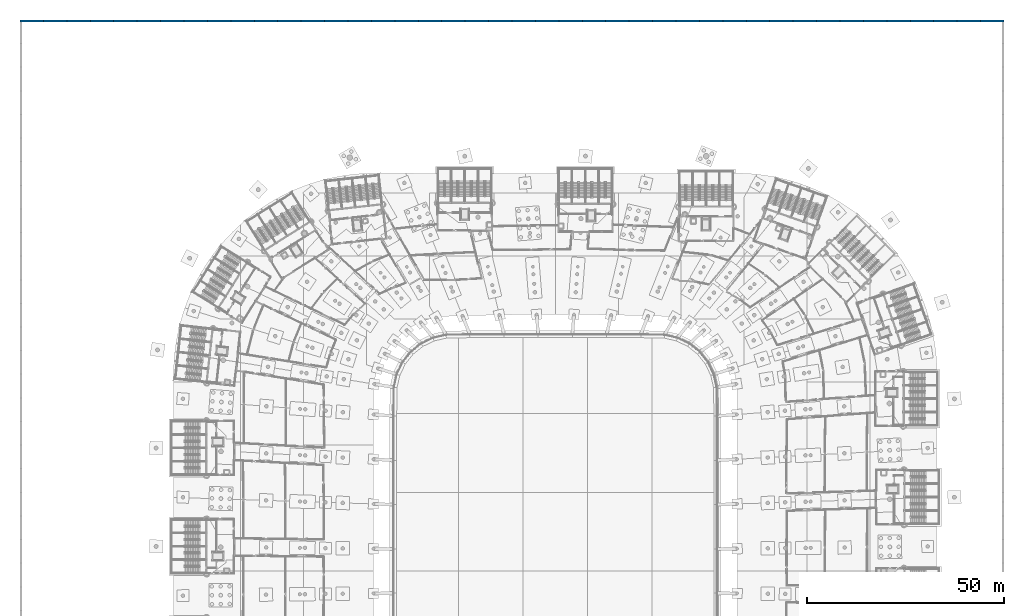
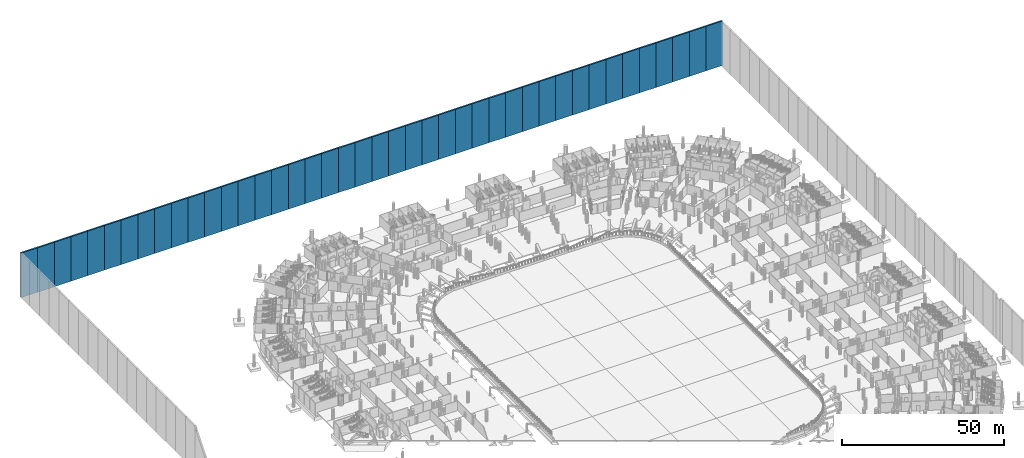
# One storey, part 94 of 142: 42 walls.
"""IFC4 building model written with IfcOpenShell, lengths in metres."""

from ifc_helpers import new_model, si_unit, direction, frame, frame_2d, origin, place, context, subcontext, project, spatial, rectangle, extrude, material, layer, layer_set, type_object, element, save


model = new_model("IFC4")

# Units and contexts
model_context = context("Model", 3, precision=1e-05, world=origin(), true_north=direction((0.0, 1.0)))
body_context = subcontext(model_context, "Body", "Model", "MODEL_VIEW")
ifc_project = project(units=[si_unit("LENGTHUNIT", "METRE"), si_unit("AREAUNIT", "SQUARE_METRE"), si_unit("VOLUMEUNIT", "CUBIC_METRE"), si_unit("PLANEANGLEUNIT", "RADIAN"), si_unit("MASSUNIT", "GRAM", prefix="KILO")], contexts=[model_context])

# Site, building, storey
site_placement = place(None, origin())
site = spatial("IfcSite", under=ifc_project, at=site_placement, CompositionType="ELEMENT")
building_placement = place(site_placement, origin())
building = spatial("IfcBuilding", under=site, at=building_placement, Name="Meseta Stadium", CompositionType="ELEMENT")
storey_placement = place(building_placement, frame((0.0, 0.0, -4.0)))
storey = spatial("IfcBuildingStorey", under=building, at=storey_placement, Name="B1", CompositionType="ELEMENT", Elevation=-4.0)

# Walls
ifc_material = material(Name="Concrete C30/37", Category="concrete")
ifc_layer = layer(ifc_material, 0.550048828125)
ifc_layer_set = layer_set([ifc_layer], Name="Site retaining wall 550")
wall_type = type_object("IfcWallType", Name="Site retaining wall 550", PredefinedType="SOLIDWALL", material=ifc_layer_set)
for number, where, z_axis, x_axis, name in (
    (1, (113.99951171875, 139.72509765625, -13.0), (0.0, 0.0, 1.0), (-1.0, 0.0, 0.0), "Site retaining wall 102"),
    (2, (108.047119140625, 139.72509765625, -13.0), (0.0, 0.0, 1.0), (-1.0, 0.0, 0.0), "Site retaining wall 103"),
    (3, (102.0947265625, 139.72509765625, -13.0), (0.0, 0.0, 1.0), (-1.0, 0.0, 0.0), "Site retaining wall 104"),
):
    element("IfcWall", number, at=place(storey_placement, frame(where, z_axis=z_axis, x_axis=x_axis)), inside=storey, type_object=wall_type, Name=name, PredefinedType="SOLIDWALL", context=body_context, shape_type="SweptSolid", body=[
        extrude(rectangle(XDim=5.952392578125, YDim=0.550048828125, at=frame_2d((2.97607421875, 0.0))), origin(), (0.0, 0.0, 1.0), 16.75),
    ])
wall_1_placement = place(storey_placement, frame((96.142333984375, 139.72509765625, -13.0), z_axis=(0.0, 0.0, 1.0), x_axis=(-1.0, 0.0, 0.0)))
element("IfcWall", 4, at=wall_1_placement, inside=storey, type_object=wall_type, Name="Site retaining wall 105", PredefinedType="SOLIDWALL", context=body_context, shape_type="SweptSolid", body=[
    extrude(rectangle(XDim=5.9521484375, YDim=0.550048828125, at=frame_2d((2.97607421875, 0.0))), origin(), (0.0, 0.0, 1.0), 16.75),
])
for number, where, z_axis, x_axis, name in (
    (5, (90.190185546875, 139.72509765625, -13.0), (0.0, 0.0, 1.0), (-1.0, 0.0, 0.0), "Site retaining wall 106"),
    (6, (84.23779296875, 139.72509765625, -13.0), (0.0, 0.0, 1.0), (-1.0, 0.0, 0.0), "Site retaining wall 107"),
    (7, (78.285400390625, 139.72509765625, -13.0), (0.0, 0.0, 1.0), (-1.0, 0.0, 0.0), "Site retaining wall 108"),
    (8, (72.3330078125, 139.72509765625, -13.0), (0.0, 0.0, 1.0), (-1.0, 0.0, 0.0), "Site retaining wall 109"),
    (9, (66.380615234375, 139.72509765625, -13.0), (0.0, 0.0, 1.0), (-1.0, 0.0, 0.0), "Site retaining wall 110"),
    (10, (60.42822265625, 139.72509765625, -13.0), (0.0, 0.0, 1.0), (-1.0, 0.0, 0.0), "Site retaining wall 111"),
):
    element("IfcWall", number, at=place(storey_placement, frame(where, z_axis=z_axis, x_axis=x_axis)), inside=storey, type_object=wall_type, Name=name, PredefinedType="SOLIDWALL", context=body_context, shape_type="SweptSolid", body=[
        extrude(rectangle(XDim=5.952392578125, YDim=0.550048828125, at=frame_2d((2.97607421875, 0.0))), origin(), (0.0, 0.0, 1.0), 16.75),
    ])
wall_2_placement = place(storey_placement, frame((54.475830078125, 139.72509765625, -13.0), z_axis=(0.0, 0.0, 1.0), x_axis=(-1.0, 0.0, 0.0)))
element("IfcWall", 11, at=wall_2_placement, inside=storey, type_object=wall_type, Name="Site retaining wall 112", PredefinedType="SOLIDWALL", context=body_context, shape_type="SweptSolid", body=[
    extrude(rectangle(XDim=5.9521484375, YDim=0.550048828125, at=frame_2d((2.97607421875, 0.0))), origin(), (0.0, 0.0, 1.0), 16.75),
])
for number, where, z_axis, x_axis, name in (
    (12, (48.523681640625, 139.72509765625, -13.0), (0.0, 0.0, 1.0), (-1.0, 0.0, 0.0), "Site retaining wall 113"),
    (13, (42.5712890625, 139.72509765625, -13.0), (0.0, 0.0, 1.0), (-1.0, 0.0, 0.0), "Site retaining wall 114"),
    (14, (36.618896484375, 139.72509765625, -13.0), (0.0, 0.0, 1.0), (-1.0, 0.0, 0.0), "Site retaining wall 115"),
    (15, (30.66650390625, 139.72509765625, -13.0), (0.0, 0.0, 1.0), (-1.0, 0.0, 0.0), "Site retaining wall 116"),
    (16, (24.714111328125, 139.72509765625, -13.0), (0.0, 0.0, 1.0), (-1.0, 0.0, 0.0), "Site retaining wall 117"),
    (17, (18.76171875, 139.72509765625, -13.0), (0.0, 0.0, 1.0), (-1.0, 0.0, 0.0), "Site retaining wall 118"),
):
    element("IfcWall", number, at=place(storey_placement, frame(where, z_axis=z_axis, x_axis=x_axis)), inside=storey, type_object=wall_type, Name=name, PredefinedType="SOLIDWALL", context=body_context, shape_type="SweptSolid", body=[
        extrude(rectangle(XDim=5.952392578125, YDim=0.550048828125, at=frame_2d((2.97607421875, 0.0))), origin(), (0.0, 0.0, 1.0), 16.75),
    ])
wall_3_placement = place(storey_placement, frame((12.809326171875, 139.72509765625, -13.0), z_axis=(0.0, 0.0, 1.0), x_axis=(-1.0, 0.0, 0.0)))
element("IfcWall", 18, at=wall_3_placement, inside=storey, type_object=wall_type, Name="Site retaining wall 119", PredefinedType="SOLIDWALL", context=body_context, shape_type="SweptSolid", body=[
    extrude(rectangle(XDim=5.9521484375, YDim=0.550048828125, at=frame_2d((2.97607421875, 0.0))), origin(), (0.0, 0.0, 1.0), 16.75),
])
for number, where, z_axis, x_axis, name in (
    (19, (6.857177734375, 139.72509765625, -13.0), (0.0, 0.0, 1.0), (-1.0, 0.0, 0.0), "Site retaining wall 120"),
    (20, (0.90478515625, 139.72509765625, -13.0), (0.0, 0.0, 1.0), (-1.0, 0.0, 0.0), "Site retaining wall 121"),
    (21, (-5.047607421875, 139.72509765625, -13.0), (0.0, 0.0, 1.0), (-1.0, 0.0, 0.0), "Site retaining wall 122"),
    (22, (-11.0, 139.72509765625, -13.0), (0.0, 0.0, 1.0), (-1.0, 0.0, 0.0), "Site retaining wall 123"),
    (23, (-16.952392578125, 139.72509765625, -13.0), (0.0, 0.0, 1.0), (-1.0, 0.0, 0.0), "Site retaining wall 124"),
    (24, (-22.90478515625, 139.72509765625, -13.0), (0.0, 0.0, 1.0), (-1.0, 0.0, 0.0), "Site retaining wall 125"),
):
    element("IfcWall", number, at=place(storey_placement, frame(where, z_axis=z_axis, x_axis=x_axis)), inside=storey, type_object=wall_type, Name=name, PredefinedType="SOLIDWALL", context=body_context, shape_type="SweptSolid", body=[
        extrude(rectangle(XDim=5.952392578125, YDim=0.550048828125, at=frame_2d((2.97607421875, 0.0))), origin(), (0.0, 0.0, 1.0), 16.75),
    ])
wall_4_placement = place(storey_placement, frame((-28.857177734375, 139.72509765625, -13.0), z_axis=(0.0, 0.0, 1.0), x_axis=(-1.0, 0.0, 0.0)))
element("IfcWall", 25, at=wall_4_placement, inside=storey, type_object=wall_type, Name="Site retaining wall 126", PredefinedType="SOLIDWALL", context=body_context, shape_type="SweptSolid", body=[
    extrude(rectangle(XDim=5.9521484375, YDim=0.550048828125, at=frame_2d((2.97607421875, 0.0))), origin(), (0.0, 0.0, 1.0), 16.75),
])
for number, where, z_axis, x_axis, name in (
    (26, (-34.809326171875, 139.72509765625, -13.0), (0.0, 0.0, 1.0), (-1.0, 0.0, 0.0), "Site retaining wall 127"),
    (27, (-40.76171875, 139.72509765625, -13.0), (0.0, 0.0, 1.0), (-1.0, 0.0, 0.0), "Site retaining wall 128"),
    (28, (-46.714111328125, 139.72509765625, -13.0), (0.0, 0.0, 1.0), (-1.0, 0.0, 0.0), "Site retaining wall 129"),
    (29, (-52.66650390625, 139.72509765625, -13.0), (0.0, 0.0, 1.0), (-1.0, 0.0, 0.0), "Site retaining wall 130"),
    (30, (-58.618896484375, 139.72509765625, -13.0), (0.0, 0.0, 1.0), (-1.0, 0.0, 0.0), "Site retaining wall 131"),
    (31, (-64.5712890625, 139.72509765625, -13.0), (0.0, 0.0, 1.0), (-1.0, 0.0, 0.0), "Site retaining wall 132"),
):
    element("IfcWall", number, at=place(storey_placement, frame(where, z_axis=z_axis, x_axis=x_axis)), inside=storey, type_object=wall_type, Name=name, PredefinedType="SOLIDWALL", context=body_context, shape_type="SweptSolid", body=[
        extrude(rectangle(XDim=5.952392578125, YDim=0.550048828125, at=frame_2d((2.97607421875, 0.0))), origin(), (0.0, 0.0, 1.0), 16.75),
    ])
wall_5_placement = place(storey_placement, frame((-70.523681640625, 139.72509765625, -13.0), z_axis=(0.0, 0.0, 1.0), x_axis=(-1.0, 0.0, 0.0)))
element("IfcWall", 32, at=wall_5_placement, inside=storey, type_object=wall_type, Name="Site retaining wall 133", PredefinedType="SOLIDWALL", context=body_context, shape_type="SweptSolid", body=[
    extrude(rectangle(XDim=5.9521484375, YDim=0.550048828125, at=frame_2d((2.97607421875, 0.0))), origin(), (0.0, 0.0, 1.0), 16.75),
])
for number, where, z_axis, x_axis, name in (
    (33, (-76.475830078125, 139.72509765625, -13.0), (0.0, 0.0, 1.0), (-1.0, 0.0, 0.0), "Site retaining wall 134"),
    (34, (-82.42822265625, 139.72509765625, -13.0), (0.0, 0.0, 1.0), (-1.0, 0.0, 0.0), "Site retaining wall 135"),
    (35, (-88.380615234375, 139.72509765625, -13.0), (0.0, 0.0, 1.0), (-1.0, 0.0, 0.0), "Site retaining wall 136"),
    (36, (-94.3330078125, 139.72509765625, -13.0), (0.0, 0.0, 1.0), (-1.0, 0.0, 0.0), "Site retaining wall 137"),
    (37, (-100.285400390625, 139.72509765625, -13.0), (0.0, 0.0, 1.0), (-1.0, 0.0, 0.0), "Site retaining wall 138"),
    (38, (-106.23779296875, 139.72509765625, -13.0), (0.0, 0.0, 1.0), (-1.0, 0.0, 0.0), "Site retaining wall 139"),
):
    element("IfcWall", number, at=place(storey_placement, frame(where, z_axis=z_axis, x_axis=x_axis)), inside=storey, type_object=wall_type, Name=name, PredefinedType="SOLIDWALL", context=body_context, shape_type="SweptSolid", body=[
        extrude(rectangle(XDim=5.952392578125, YDim=0.550048828125, at=frame_2d((2.97607421875, 0.0))), origin(), (0.0, 0.0, 1.0), 16.75),
    ])
wall_6_placement = place(storey_placement, frame((-112.190185546875, 139.72509765625, -13.0), z_axis=(0.0, 0.0, 1.0), x_axis=(-1.0, 0.0, 0.0)))
element("IfcWall", 39, at=wall_6_placement, inside=storey, type_object=wall_type, Name="Site retaining wall 140", PredefinedType="SOLIDWALL", context=body_context, shape_type="SweptSolid", body=[
    extrude(rectangle(XDim=5.9521484375, YDim=0.550048828125, at=frame_2d((2.97607421875, 0.0))), origin(), (0.0, 0.0, 1.0), 16.75),
])
for number, where, z_axis, x_axis, name in (
    (40, (-118.142333984375, 139.72509765625, -13.0), (0.0, 0.0, 1.0), (-1.0, 0.0, 0.0), "Site retaining wall 141"),
    (41, (-124.0947265625, 139.72509765625, -13.0), (0.0, 0.0, 1.0), (-1.0, 0.0, 0.0), "Site retaining wall 142"),
    (42, (-130.047119140625, 139.72509765625, -13.0), (0.0, 0.0, 1.0), (-1.0, 0.0, 0.0), "Site retaining wall 143"),
):
    element("IfcWall", number, at=place(storey_placement, frame(where, z_axis=z_axis, x_axis=x_axis)), inside=storey, type_object=wall_type, Name=name, PredefinedType="SOLIDWALL", context=body_context, shape_type="SweptSolid", body=[
        extrude(rectangle(XDim=5.952392578125, YDim=0.550048828125, at=frame_2d((2.97607421875, 0.0))), origin(), (0.0, 0.0, 1.0), 16.75),
    ])

save(model, "model.ifc")
